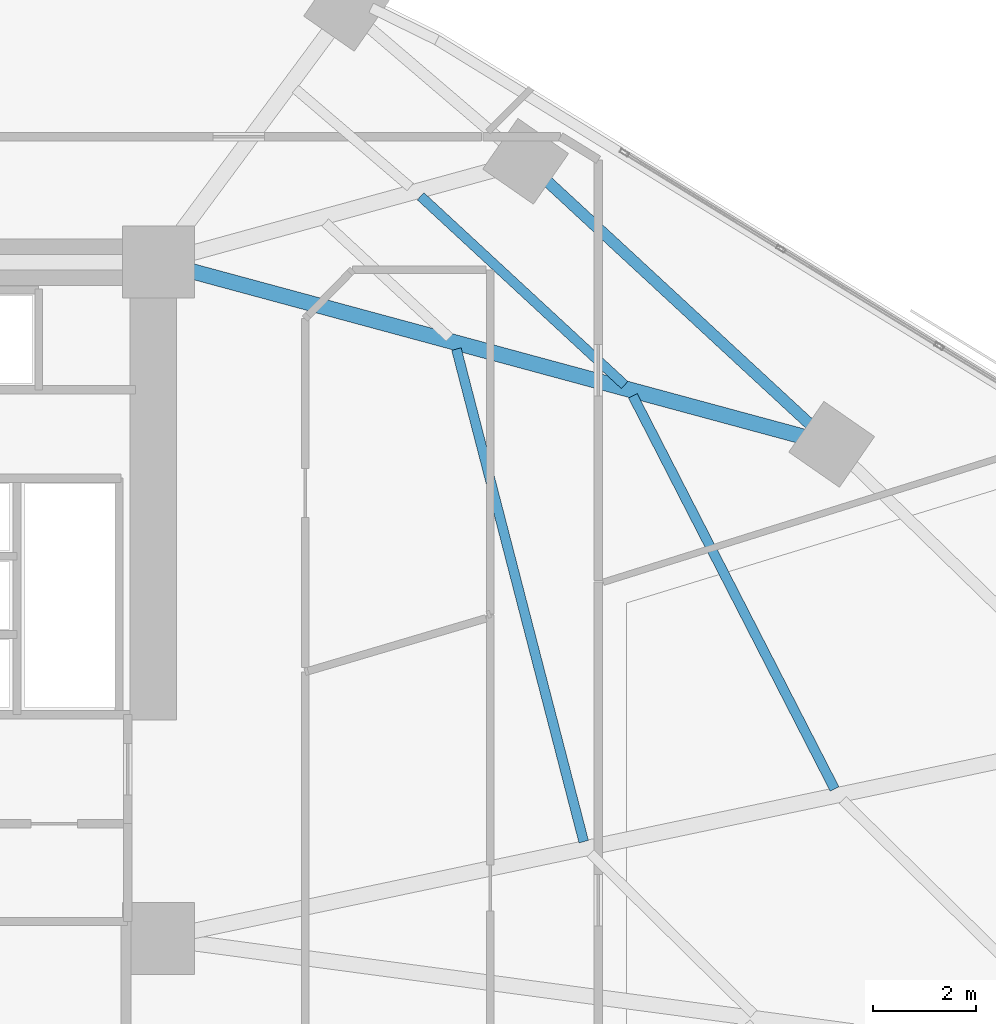
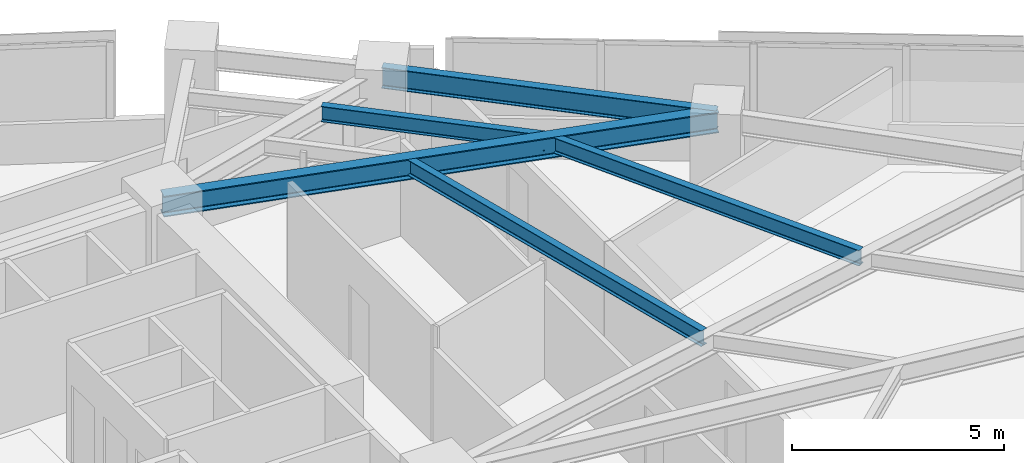
# One storey, part 5 of 19: 5 beams.
"""IFC4 building model written with IfcOpenShell, lengths in metres."""

import ifcopenshell
import ifcopenshell.guid

model = None  # the IFC model being written
_history = None  # IfcOwnerHistory: only IFC2X3 demands one
_inside = {}  # id of a spatial element -> (the spatial element, [elements in it])
_under = {}  # id of a project, library or spatial element -> (it, [spatial elements below it])
_declared = {}  # id of a project -> (the project, [libraries it declares])
_typed = {}  # id of a type object -> (the type object, [elements of that type])
_made_of = {}  # id of a material, layer set ... -> (it, [elements and type objects made of it])


def new_model(schema):
    """Start an empty IFC model of exactly this schema.

    Asked for "IFC4X3", IfcOpenShell would pick the latest addendum, in which some entities
    have other attributes; the version numbers below select the first issue.
    IFC2X3 requires an IfcOwnerHistory on every rooted entity: one is made here for all.
    """
    global model, _history
    if schema == "IFC4X3":
        model = ifcopenshell.file(schema_version=(4, 3, 0, 0))
    else:
        model = ifcopenshell.file(schema=schema)
    _inside.clear()
    _under.clear()
    _declared.clear()
    _typed.clear()
    _made_of.clear()
    _history = None
    if model.schema == "IFC2X3":
        org = make("IfcOrganization", Name="unknown")
        user = make(
            "IfcPersonAndOrganization",
            ThePerson=make("IfcPerson", FamilyName="unknown"),
            TheOrganization=org,
        )
        app = make(
            "IfcApplication",
            ApplicationDeveloper=org,
            Version="unknown",
            ApplicationFullName="unknown",
            ApplicationIdentifier="unknown",
        )
        _history = make(
            "IfcOwnerHistory",
            OwningUser=user,
            OwningApplication=app,
            ChangeAction="ADDED",
            CreationDate=0,
        )
    return model


def make(cls, **values):
    """One entity of the class cls with the attributes given. An attribute that is None is left unset."""
    return model.create_entity(
        cls, **{name: value for name, value in values.items() if value is not None}
    )


def rooted(cls, **values):
    """An entity with a GlobalId (a new one), such as an element, a storey or a relation."""
    return make(cls, GlobalId=ifcopenshell.guid.new(), OwnerHistory=_history, **values)


def si_unit(unit_type, name, prefix=None):
    """IfcSIUnit, for example si_unit("LENGTHUNIT", "METRE", prefix="MILLI")."""
    return make("IfcSIUnit", UnitType=unit_type, Prefix=prefix, Name=name)


def assignment(units):
    """IfcUnitAssignment: the units of a project."""
    return None if units is None else make("IfcUnitAssignment", Units=units)


def point(xyz):
    """IfcCartesianPoint."""
    return None if xyz is None else make("IfcCartesianPoint", Coordinates=xyz)


def direction(xyz):
    """IfcDirection."""
    return None if xyz is None else make("IfcDirection", DirectionRatios=xyz)


def frame(location, z_axis=None, x_axis=None):
    """IfcAxis2Placement3D, a coordinate frame: its origin and axes. An axis left out is left unset."""
    return make(
        "IfcAxis2Placement3D",
        Location=point(location),
        Axis=direction(z_axis),
        RefDirection=direction(x_axis),
    )


def frame_2d(location, x_axis=None):
    """IfcAxis2Placement2D, a coordinate frame in the plane: its origin and x axis."""
    return make(
        "IfcAxis2Placement2D", Location=point(location), RefDirection=direction(x_axis)
    )


def origin():
    """The frame at (0, 0, 0) with its axes left unset."""
    return frame((0.0, 0.0, 0.0))


def origin_2d():
    """The frame at (0, 0) in the plane with its x axis left unset."""
    return frame_2d((0.0, 0.0))


def place(relative_to, where):
    """IfcLocalPlacement: puts the frame where relative to a parent placement (None: the world)."""
    return make(
        "IfcLocalPlacement", PlacementRelTo=relative_to, RelativePlacement=where
    )


def context(
    kind, dimensions, precision=None, world=None, true_north=None, identifier=None
):
    """IfcGeometricRepresentationContext, for example the 3D "Model" context."""
    return make(
        "IfcGeometricRepresentationContext",
        ContextIdentifier=identifier,
        ContextType=kind,
        CoordinateSpaceDimension=dimensions,
        Precision=precision,
        WorldCoordinateSystem=world,
        TrueNorth=true_north,
    )


def subcontext(parent, identifier, kind, view, scale=None):
    """IfcGeometricRepresentationSubContext, for example "Body" below "Model"."""
    return make(
        "IfcGeometricRepresentationSubContext",
        ContextIdentifier=identifier,
        ContextType=kind,
        ParentContext=parent,
        TargetScale=scale,
        TargetView=view,
    )


def project(units=None, contexts=None):
    """IfcProject with its units and contexts."""
    return rooted(
        "IfcProject",
        Name="project",
        RepresentationContexts=contexts,
        UnitsInContext=assignment(units),
    )


def spatial(cls, under=None, at=None, **own):
    """A site, building, storey or space (cls), placed at a placement, below another one or the project."""
    s = rooted(cls, ObjectPlacement=at, **own)
    if under is not None:
        _under.setdefault(under.id(), (under, []))[1].append(s)
    return s


def profile(cls, at=None, kind="AREA", **sizes):
    """A parametric profile (cls). Its sizes go by their IFC names, for example OverallWidth=200.0."""
    return make(cls, ProfileType=kind, Position=at, **sizes)


def i_section(**sizes):
    """IfcIShapeProfileDef."""
    return profile("IfcIShapeProfileDef", **sizes)


def extrude(swept, where, along, depth):
    """IfcExtrudedAreaSolid: the profile swept, set in the frame where, extruded along a direction by depth."""
    return make(
        "IfcExtrudedAreaSolid",
        SweptArea=swept,
        Position=where,
        ExtrudedDirection=direction(along),
        Depth=depth,
    )


def shape(context_of_items, identifier, shape_type, items):
    """IfcShapeRepresentation: the items that make up one representation, for example the "Body"."""
    return make(
        "IfcShapeRepresentation",
        ContextOfItems=context_of_items,
        RepresentationIdentifier=identifier,
        RepresentationType=shape_type,
        Items=items,
    )


def material(Name=None, Category=None):
    """IfcMaterial."""
    return make("IfcMaterial", Name=Name, Category=Category)


def material_profile(
    of_material, cross_section, Name=None, Category=None, Priority=None
):
    """IfcMaterialProfile: a cross section and its material."""
    return make(
        "IfcMaterialProfile",
        Name=Name,
        Material=of_material,
        Profile=cross_section,
        Priority=Priority,
        Category=Category,
    )


def profile_set(profiles, Name=None, composite=None):
    """IfcMaterialProfileSet."""
    return make(
        "IfcMaterialProfileSet",
        Name=Name,
        MaterialProfiles=profiles,
        CompositeProfile=composite,
    )


def made_of(thing, what):
    """Note that an element or type object is made of a material, layer set ...; save() writes the relation."""
    if what is not None:
        _made_of.setdefault(what.id(), (what, []))[1].append(thing)
    return thing


def type_object(cls, material=None, **own):
    """A type object (cls), such as IfcWallType, which elements share."""
    return made_of(rooted(cls, **own), material)


def element(
    cls,
    number,
    at=None,
    inside=None,
    cuts=None,
    type_object=None,
    material=None,
    context=None,
    identifier="Body",
    shape_type=None,
    held_by="IfcProductDefinitionShape",
    body=None,
    shapes=None,
    **own,
):
    """One element of the class cls, such as IfcWall. Its Tag is "e" and its number.

    at: its placement. inside: the storey or other place that contains it. cuts: it is an
    opening in that element (IfcRelVoidsElement). A single representation is given by context,
    identifier, shape_type and body (its items); several are given by shapes. held_by: the class
    of the entity that holds the representations. save() writes the other relations.
    """
    e = rooted(cls, Tag="e%d" % number, ObjectPlacement=at, **own)
    if body is not None:
        shapes = [shape(context, identifier, shape_type, body)]
    if shapes is not None:
        e.Representation = make(held_by, Representations=shapes)
    if inside is not None:
        _inside.setdefault(inside.id(), (inside, []))[1].append(e)
    if cuts is not None:
        rooted(
            "IfcRelVoidsElement", RelatingBuildingElement=cuts, RelatedOpeningElement=e
        )
    if type_object is not None:
        _typed.setdefault(type_object.id(), (type_object, []))[1].append(e)
    return made_of(e, material)


def aggregate(whole, parts):
    """IfcRelAggregates: a whole, such as a stair, and the parts it consists of."""
    return rooted("IfcRelAggregates", RelatingObject=whole, RelatedObjects=parts)


def save(model, path):
    """Write the relations noted so far, then the file.

    IfcRelAggregates (storeys below a building ...), IfcRelContainedInSpatialStructure (elements
    in a storey), IfcRelDefinesByType, IfcRelAssociatesMaterial and IfcRelDeclares: one each for
    every whole, place, type object, material and project.
    """
    for whole, parts in _under.values():
        aggregate(whole, parts)
    for where, things in _inside.values():
        rooted(
            "IfcRelContainedInSpatialStructure",
            RelatedElements=things,
            RelatingStructure=where,
        )
    for kind, things in _typed.values():
        rooted("IfcRelDefinesByType", RelatedObjects=things, RelatingType=kind)
    for what, things in _made_of.values():
        rooted("IfcRelAssociatesMaterial", RelatedObjects=things, RelatingMaterial=what)
    for by, libraries in _declared.values():
        rooted("IfcRelDeclares", RelatingContext=by, RelatedDefinitions=libraries)
    model.write(path)


model = new_model("IFC4")

# Units and contexts
model_context = context("Model", 3, precision=1e-05, world=origin(), true_north=direction((0.0, 1.0)))
body_context = subcontext(model_context, "Body", "Model", "MODEL_VIEW")
ifc_project = project(units=[si_unit("LENGTHUNIT", "METRE"), si_unit("AREAUNIT", "SQUARE_METRE"), si_unit("VOLUMEUNIT", "CUBIC_METRE"), si_unit("PLANEANGLEUNIT", "RADIAN"), si_unit("MASSUNIT", "GRAM", prefix="KILO")], contexts=[model_context])

# Site, building, storey
site_placement = place(None, origin())
site = spatial("IfcSite", under=ifc_project, at=site_placement, CompositionType="ELEMENT")
building_placement = place(site_placement, origin())
building = spatial("IfcBuilding", under=site, at=building_placement, Name="Narakoshi Arena Tower", CompositionType="ELEMENT")
storey_placement = place(building_placement, frame((0.0, 0.0, 117.300048828125)))
storey = spatial("IfcBuildingStorey", under=building, at=storey_placement, Name="L31", CompositionType="ELEMENT", Elevation=117.300048828125)

# Beams
ifc_material = material(Name="Structural steel S355J2", Category="steel")
ifc_material_profile_1 = material_profile(ifc_material, i_section(OverallWidth=0.219970703125, OverallDepth=0.60009765625, WebThickness=0.011962890625, FlangeThickness=0.01904296875, FilletRadius=0.02392578125, at=origin_2d()), Name="IPE600")
ifc_profile_set_1 = profile_set([ifc_material_profile_1], Name="Structural steel S355J2")
beam_type_1 = type_object("IfcBeamType", Name="BM-EDGE-600", PredefinedType="BEAM", material=ifc_profile_set_1)
beam_1_placement = place(storey_placement, frame((98.641357421875, 52.95849609375, 3.0400390625), z_axis=(-0.734140347065, 0.678997754643, 0.0), x_axis=(-0.678997754643, -0.734140347065, 0.0)))
element("IfcBeam", 1, at=beam_1_placement, inside=storey, type_object=beam_type_1, Name="L31 Perimeter Edge Girder 06", PredefinedType="BEAM", context=body_context, shape_type="SweptSolid", body=[
    extrude(i_section(OverallWidth=0.219970703125, OverallDepth=0.60009765625, WebThickness=0.011962890625, FlangeThickness=0.01904296875, FilletRadius=0.02392578125, at=origin_2d()), origin(), (0.0, 0.0, 1.0), 8.106689453125),
])
ifc_material_profile_2 = material_profile(ifc_material, i_section(OverallWidth=0.300048828125, OverallDepth=0.60009765625, WebThickness=0.015380859375, FlangeThickness=0.030029296875, FilletRadius=0.027099609375, at=origin_2d()), Name="HE600B")
ifc_profile_set_2 = profile_set([ifc_material_profile_2], Name="Structural steel S355J2")
beam_type_2 = type_object("IfcBeamType", Name="BM-PRI-600", PredefinedType="BEAM", material=ifc_profile_set_2)
beam_2_placement = place(storey_placement, frame((85.550048828125, 56.5, 3.0400390625), z_axis=(0.965301848216, -0.261136634408, 0.0), x_axis=(0.261136634408, 0.965301848216, 0.0)))
element("IfcBeam", 2, at=beam_2_placement, inside=storey, type_object=beam_type_2, Name="L31 Radial Primary Floor Girder 06", PredefinedType="BEAM", context=body_context, shape_type="SweptSolid", body=[
    extrude(i_section(OverallWidth=0.300048828125, OverallDepth=0.60009765625, WebThickness=0.015380859375, FlangeThickness=0.030029296875, FilletRadius=0.027099609375, at=origin_2d()), origin(), (0.0, 0.0, 1.0), 13.561767578125),
])
ifc_material_profile_3 = material_profile(ifc_material, i_section(OverallWidth=0.18994140625, OverallDepth=0.449951171875, WebThickness=0.009521484375, FlangeThickness=0.0146484375, FilletRadius=0.02099609375, at=origin_2d()), Name="IPE450")
ifc_profile_set_3 = profile_set([ifc_material_profile_3], Name="Structural steel S355J2")
beam_type_3 = type_object("IfcBeamType", Name="BM-SEC-450", PredefinedType="JOIST", material=ifc_profile_set_3)
beam_3_placement = place(storey_placement, frame((93.819091796875, 45.232177734375, 3.114990234375), z_axis=(-0.250175045667, 0.968200623076, 0.0), x_axis=(-0.968200623076, -0.250175045667, 0.0)))
element("IfcBeam", 3, at=beam_3_placement, inside=storey, type_object=beam_type_3, Name="L31 Composite Secondary Floor Joist 04", PredefinedType="JOIST", context=body_context, shape_type="SweptSolid", body=[
    extrude(i_section(OverallWidth=0.18994140625, OverallDepth=0.449951171875, WebThickness=0.009521484375, FlangeThickness=0.0146484375, FilletRadius=0.02099609375, at=origin_2d()), origin(), (0.0, 0.0, 1.0), 9.8935546875),
])
beam_4_placement = place(storey_placement, frame((98.69775390625, 46.256591796875, 3.114990234375), z_axis=(-0.45649835957, 0.88972425375, 0.0), x_axis=(-0.88972425375, -0.45649835957, 0.0)))
element("IfcBeam", 4, at=beam_4_placement, inside=storey, type_object=beam_type_3, Name="L31 Composite Secondary Floor Joist 05", PredefinedType="JOIST", context=body_context, shape_type="SweptSolid", body=[
    extrude(i_section(OverallWidth=0.18994140625, OverallDepth=0.449951171875, WebThickness=0.009521484375, FlangeThickness=0.0146484375, FilletRadius=0.02099609375, at=origin_2d()), origin(), (0.0, 0.0, 1.0), 8.591796875),
])
beam_5_placement = place(storey_placement, frame((94.614990234375, 54.11279296875, 3.114990234375), z_axis=(-0.734167550232, 0.678968341078, 0.0), x_axis=(-0.678968341078, -0.734167550232, 0.0)))
element("IfcBeam", 5, at=beam_5_placement, inside=storey, type_object=beam_type_3, Name="L31 Composite Secondary Floor Joist 07", PredefinedType="JOIST", context=body_context, shape_type="SweptSolid", body=[
    extrude(i_section(OverallWidth=0.18994140625, OverallDepth=0.449951171875, WebThickness=0.009521484375, FlangeThickness=0.0146484375, FilletRadius=0.02099609375, at=origin_2d()), origin(), (0.0, 0.0, 1.0), 5.40478515625),
])

save(model, "model.ifc")
